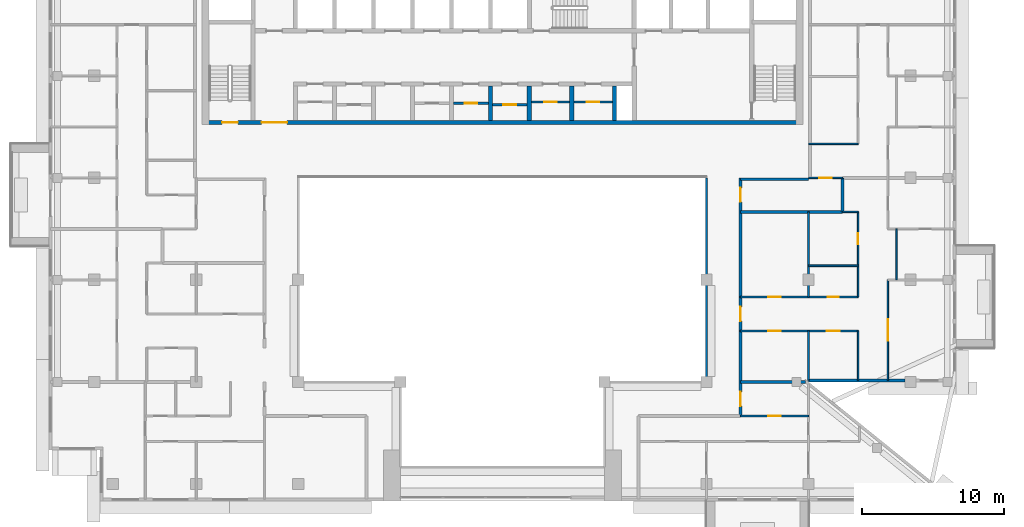
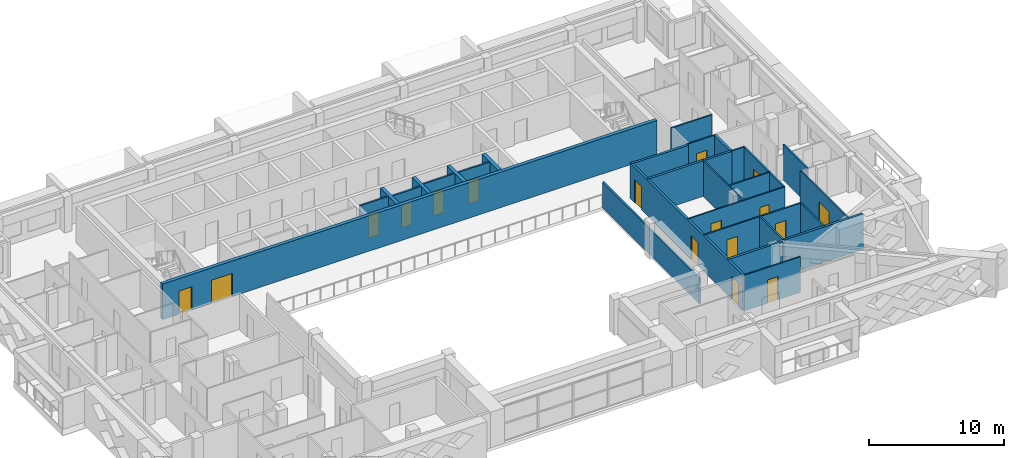
# One storey, part 9 of 19: 29 walls, 17 doors, 17 openings.
"""IFC4 building model written with IfcOpenShell, lengths in metres."""

from ifc_helpers import new_model, si_unit, direction, frame, frame_2d, origin, place, context, subcontext, project, spatial, rectangle, extrude, material, layer, layer_set, type_object, element, fill, save


model = new_model("IFC4")

# Units and contexts
model_context = context("Model", 3, precision=1e-05, world=origin(), true_north=direction((0.0, 1.0)))
body_context = subcontext(model_context, "Body", "Model", "MODEL_VIEW")
ifc_project = project(units=[si_unit("LENGTHUNIT", "METRE"), si_unit("AREAUNIT", "SQUARE_METRE"), si_unit("VOLUMEUNIT", "CUBIC_METRE"), si_unit("PLANEANGLEUNIT", "RADIAN"), si_unit("MASSUNIT", "GRAM", prefix="KILO")], contexts=[model_context])

# Site, building, storey
site_placement = place(None, origin())
site = spatial("IfcSite", under=ifc_project, at=site_placement, CompositionType="ELEMENT")
building_placement = place(site_placement, origin())
building = spatial("IfcBuilding", under=site, at=building_placement, Name="Saffron Iwan Residences", CompositionType="ELEMENT")
storey_placement = place(building_placement, frame((0.0, 0.0, 232.5)))
storey = spatial("IfcBuildingStorey", under=building, at=storey_placement, Name="L62", CompositionType="ELEMENT", Elevation=232.5)

# Wall
ifc_material_1 = material(Name="Fire-rated glazing", Category="glass")
ifc_layer_1 = layer(ifc_material_1, 0.14990234375)
ifc_layer_set_1 = layer_set([ifc_layer_1], Name="Fire-rated glazing")
wall_type_1 = type_object("IfcWallType", Name="Atrium glazed screen 150", PredefinedType="SOLIDWALL", material=ifc_layer_set_1)
wall_1_placement = place(storey_placement, frame((64.800048828125, 48.0, 0.0), z_axis=(0.0, 0.0, 1.0), x_axis=(0.0, 1.0, 0.0)))
element("IfcWall", 1, at=wall_1_placement, inside=storey, type_object=wall_type_1, Name="W-L62-SCREEN-v64.8-48", PredefinedType="SOLIDWALL", context=body_context, shape_type="SweptSolid", body=[
    extrude(rectangle(XDim=14.39990234375, YDim=0.14990234375, at=frame_2d((7.199951171875, 0.0))), origin(), (0.0, 0.0, 1.0), 2.320068359375),
])

# Wall, opening, door
ifc_material_2 = material(Name="Fire-rated plasterboard partition")
ifc_layer_2 = layer(ifc_material_2, 0.14990234375)
ifc_layer_set_2 = layer_set([ifc_layer_2], Name="Fire-rated plasterboard partition")
wall_type_2 = type_object("IfcWallType", Name="Core partition 150", PredefinedType="PARTITIONING", material=ifc_layer_set_2)
wall_2_placement = place(storey_placement, frame((46.949951171875, 67.66259765625, 0.0), z_axis=(0.0, 0.0, 1.0), x_axis=(1.0, 0.0, 0.0)))
wall_2 = element("IfcWall", 2, at=wall_2_placement, inside=storey, type_object=wall_type_2, Name="Core partition P04", PredefinedType="PARTITIONING", context=body_context, shape_type="SweptSolid", body=[
    extrude(rectangle(XDim=2.449951171875, YDim=0.14990234375, at=frame_2d((1.22509765625, 0.0))), origin(), (0.0, 0.0, 1.0), 3.219970703125),
])
opening_1_placement = place(wall_2_placement, frame((0.77490234375, 0.0, 0.0)))
opening_1 = element("IfcOpeningElement", 3, at=opening_1_placement, cuts=wall_2, Name="Opening SB", PredefinedType="OPENING", context=body_context, shape_type="SweptSolid", body=[
    extrude(rectangle(XDim=0.89990234375, YDim=2.10009765625, at=frame_2d((0.449951171875, 1.050048828125))), frame((0.0, 0.0849609375, 0.0), z_axis=(0.0, -1.0, 0.0), x_axis=(1.0, 0.0, 0.0)), (0.0, 0.0, 1.0), 0.169921875),
])
ifc_material_3 = material(Name="Steel fire door", Category="steel")
door_type_1 = type_object("IfcDoorType", Name="Store door 900", OperationType="NOTDEFINED", PredefinedType="DOOR", material=ifc_material_3)
door_1_placement = place(opening_1_placement, origin())
door_1 = element("IfcDoor", 4, at=door_1_placement, inside=storey, type_object=door_type_1, Name="Door Mop store", OperationType="SINGLE_SWING_RIGHT", OverallHeight=2.10009765625, OverallWidth=0.89990234375, PredefinedType="DOOR", context=body_context, shape_type="SweptSolid", body=[
    extrude(rectangle(XDim=0.89990234375, YDim=2.10009765625, at=frame_2d((0.449951171875, 1.050048828125))), frame((0.0, 0.02490234375, 0.0), z_axis=(0.0, -1.0, 0.0), x_axis=(1.0, 0.0, 0.0)), (0.0, 0.0, 1.0), 0.050048828125),
])
fill(opening_1, door_1)

wall_3_placement = place(storey_placement, frame((49.699951171875, 67.5654296875, 0.0), z_axis=(0.0, 0.0, 1.0), x_axis=(1.0, 0.0, 0.0)))
wall_3 = element("IfcWall", 5, at=wall_3_placement, inside=storey, type_object=wall_type_2, Name="Core partition P05", PredefinedType="PARTITIONING", context=body_context, shape_type="SweptSolid", body=[
    extrude(rectangle(XDim=2.449951171875, YDim=0.14990234375, at=frame_2d((1.22509765625, 0.0))), origin(), (0.0, 0.0, 1.0), 3.219970703125),
])
opening_2_placement = place(wall_3_placement, frame((0.77490234375, 0.0, 0.0)))
opening_2 = element("IfcOpeningElement", 6, at=opening_2_placement, cuts=wall_3, Name="Opening SB", PredefinedType="OPENING", context=body_context, shape_type="SweptSolid", body=[
    extrude(rectangle(XDim=0.89990234375, YDim=2.10009765625, at=frame_2d((0.449951171875, 1.050048828125))), frame((0.0, 0.0849609375, 0.0), z_axis=(0.0, -1.0, 0.0), x_axis=(1.0, 0.0, 0.0)), (0.0, 0.0, 1.0), 0.169921875),
])
door_2_placement = place(opening_2_placement, origin())
door_2 = element("IfcDoor", 7, at=door_2_placement, inside=storey, type_object=door_type_1, Name="Door Spares store", OperationType="SINGLE_SWING_LEFT", OverallHeight=2.10009765625, OverallWidth=0.89990234375, PredefinedType="DOOR", context=body_context, shape_type="SweptSolid", body=[
    extrude(rectangle(XDim=0.89990234375, YDim=2.10009765625, at=frame_2d((0.449951171875, 1.050048828125))), frame((0.0, 0.02490234375, 0.0), z_axis=(0.0, -1.0, 0.0), x_axis=(1.0, 0.0, 0.0)), (0.0, 0.0, 1.0), 0.050048828125),
])
fill(opening_2, door_2)

wall_4_placement = place(storey_placement, frame((52.449951171875, 67.759521484375, 0.0), z_axis=(0.0, 0.0, 1.0), x_axis=(1.0, 0.0, 0.0)))
wall_4 = element("IfcWall", 8, at=wall_4_placement, inside=storey, type_object=wall_type_2, Name="Core partition P06", PredefinedType="PARTITIONING", context=body_context, shape_type="SweptSolid", body=[
    extrude(rectangle(XDim=2.699951171875, YDim=0.14990234375, at=frame_2d((1.35009765625, 0.0))), origin(), (0.0, 0.0, 1.0), 3.219970703125),
])
opening_3_placement = place(wall_4_placement, frame((0.89990234375, 0.0, 0.0)))
opening_3 = element("IfcOpeningElement", 9, at=opening_3_placement, cuts=wall_4, Name="Opening SB", PredefinedType="OPENING", context=body_context, shape_type="SweptSolid", body=[
    extrude(rectangle(XDim=0.89990234375, YDim=2.10009765625, at=frame_2d((0.449951171875, 1.050048828125))), frame((0.0, 0.0849609375, 0.0), z_axis=(0.0, -1.0, 0.0), x_axis=(1.0, 0.0, 0.0)), (0.0, 0.0, 1.0), 0.169921875),
])
door_3_placement = place(opening_3_placement, origin())
door_3 = element("IfcDoor", 10, at=door_3_placement, inside=storey, type_object=door_type_1, Name="Door Tool store", OperationType="SINGLE_SWING_LEFT", OverallHeight=2.10009765625, OverallWidth=0.89990234375, PredefinedType="DOOR", context=body_context, shape_type="SweptSolid", body=[
    extrude(rectangle(XDim=0.89990234375, YDim=2.10009765625, at=frame_2d((0.449951171875, 1.050048828125))), frame((0.0, 0.02490234375, 0.0), z_axis=(0.0, -1.0, 0.0), x_axis=(1.0, 0.0, 0.0)), (0.0, 0.0, 1.0), 0.050048828125),
])
fill(opening_3, door_3)

wall_5_placement = place(storey_placement, frame((55.449951171875, 67.759521484375, 0.0), z_axis=(0.0, 0.0, 1.0), x_axis=(1.0, 0.0, 0.0)))
wall_5 = element("IfcWall", 11, at=wall_5_placement, inside=storey, type_object=wall_type_2, Name="Core partition P07", PredefinedType="PARTITIONING", context=body_context, shape_type="SweptSolid", body=[
    extrude(rectangle(XDim=2.699951171875, YDim=0.14990234375, at=frame_2d((1.35009765625, 0.0))), origin(), (0.0, 0.0, 1.0), 3.219970703125),
])
opening_4_placement = place(wall_5_placement, frame((0.89990234375, 0.0, 0.0)))
opening_4 = element("IfcOpeningElement", 12, at=opening_4_placement, cuts=wall_5, Name="Opening SB", PredefinedType="OPENING", context=body_context, shape_type="SweptSolid", body=[
    extrude(rectangle(XDim=0.89990234375, YDim=2.10009765625, at=frame_2d((0.449951171875, 1.050048828125))), frame((0.0, 0.0849609375, 0.0), z_axis=(0.0, -1.0, 0.0), x_axis=(1.0, 0.0, 0.0)), (0.0, 0.0, 1.0), 0.169921875),
])
door_4_placement = place(opening_4_placement, origin())
door_4 = element("IfcDoor", 13, at=door_4_placement, inside=storey, type_object=door_type_1, Name="Door Cabling room", OperationType="SINGLE_SWING_LEFT", OverallHeight=2.10009765625, OverallWidth=0.89990234375, PredefinedType="DOOR", context=body_context, shape_type="SweptSolid", body=[
    extrude(rectangle(XDim=0.89990234375, YDim=2.10009765625, at=frame_2d((0.449951171875, 1.050048828125))), frame((0.0, 0.02490234375, 0.0), z_axis=(0.0, -1.0, 0.0), x_axis=(1.0, 0.0, 0.0)), (0.0, 0.0, 1.0), 0.050048828125),
])
fill(opening_4, door_4)

# Walls
ifc_material_4 = material(Name="Concrete C40/50", Category="concrete")
ifc_layer_3 = layer(ifc_material_4, 0.199951171875)
ifc_layer_set_3 = layer_set([ifc_layer_3], Name="Concrete C40/50")
wall_type_3 = type_object("IfcWallType", Name="EXTERNAL WALL 200", PredefinedType="SOLIDWALL", material=ifc_layer_set_3)
wall_6_placement = place(storey_placement, frame((71.987060546875, 48.10009765625, 0.0), z_axis=(0.0, 0.0, 1.0), x_axis=(1.0, 0.0, 0.0)))
element("IfcWall", 14, at=wall_6_placement, inside=storey, type_object=wall_type_3, Name="External wall L62 F1.0", PredefinedType="SOLIDWALL", context=body_context, shape_type="SweptSolid", body=[
    extrude(rectangle(XDim=6.81298828125, YDim=0.199951171875, at=frame_2d((3.406494140625, 0.0))), origin(), (0.0, 0.0, 1.0), 3.219970703125),
])
ifc_material_5 = material(Name="Fire-rated gypsum board wall")
ifc_layer_4 = layer(ifc_material_5, 0.199951171875)
ifc_layer_set_4 = layer_set([ifc_layer_4], Name="Fire-rated gypsum board wall")
wall_type_4 = type_object("IfcWallType", Name="Flat demising wall 200", PredefinedType="SOLIDWALL", material=ifc_layer_set_4)
wall_7_placement = place(storey_placement, frame((67.199951171875, 48.0, 0.0), z_axis=(0.0, 0.0, 1.0), x_axis=(1.0, 0.0, 0.0)))
element("IfcWall", 15, at=wall_7_placement, inside=storey, type_object=wall_type_4, Name="W-L62-DEMISE-h48-67.2", PredefinedType="SOLIDWALL", context=body_context, shape_type="SweptSolid", body=[
    extrude(rectangle(XDim=4.60107421875, YDim=0.199951171875, at=frame_2d((2.300537109375, 0.0))), origin(), (0.0, 0.0, 1.0), 3.219970703125),
])
wall_8_placement = place(storey_placement, frame((67.199951171875, 60.0, 0.0), z_axis=(0.0, 0.0, 1.0), x_axis=(1.0, 0.0, 0.0)))
element("IfcWall", 16, at=wall_8_placement, inside=storey, type_object=wall_type_4, Name="W-L62-DEMISE-h60-67.2", PredefinedType="SOLIDWALL", context=body_context, shape_type="SweptSolid", body=[
    extrude(rectangle(XDim=7.199951171875, YDim=0.199951171875, at=frame_2d((3.60009765625, 0.0))), origin(), (0.0, 0.0, 1.0), 3.219970703125),
])
wall_9_placement = place(storey_placement, frame((74.39990234375, 60.0, 0.0), z_axis=(0.0, 0.0, 1.0), x_axis=(0.0, 1.0, 0.0)))
element("IfcWall", 17, at=wall_9_placement, inside=storey, type_object=wall_type_4, Name="W-L62-DEMISE-v74.4-60", PredefinedType="SOLIDWALL", context=body_context, shape_type="SweptSolid", body=[
    extrude(rectangle(XDim=2.39990234375, YDim=0.199951171875, at=frame_2d((1.199951171875, 0.0))), origin(), (0.0, 0.0, 1.0), 3.219970703125),
])

# Wall, opening, door
ifc_material_6 = material(Name="Gypsum board partition")
ifc_layer_5 = layer(ifc_material_6, 0.1201171875)
ifc_layer_set_5 = layer_set([ifc_layer_5], Name="Gypsum board partition")
wall_type_5 = type_object("IfcWallType", Name="Flat partition 120", PredefinedType="PARTITIONING", material=ifc_layer_set_5)
wall_10_placement = place(storey_placement, frame((67.199951171875, 45.60009765625, 0.0), z_axis=(0.0, 0.0, 1.0), x_axis=(1.0, 0.0, 0.0)))
wall_10 = element("IfcWall", 18, at=wall_10_placement, inside=storey, type_object=wall_type_5, Name="W-L62-PART-h45.6-67.2", PredefinedType="PARTITIONING", context=body_context, shape_type="SweptSolid", body=[
    extrude(rectangle(XDim=4.800048828125, YDim=0.1201171875, at=frame_2d((2.39990234375, 0.0))), origin(), (0.0, 0.0, 1.0), 3.219970703125),
])
opening_5_placement = place(wall_10_placement, frame((1.949951171875, 0.0, 0.0)))
opening_5 = element("IfcOpeningElement", 19, at=opening_5_placement, cuts=wall_10, Name="Opening FD2", PredefinedType="OPENING", context=body_context, shape_type="SweptSolid", body=[
    extrude(rectangle(XDim=0.89990234375, YDim=2.10009765625, at=frame_2d((0.449951171875, 1.050048828125))), frame((0.0, 0.070068359375, 0.0), z_axis=(0.0, -1.0, 0.0), x_axis=(1.0, 0.0, 0.0)), (0.0, 0.0, 1.0), 0.14013671875),
])
ifc_material_7 = material(Name="Timber door", Category="wood")
door_type_2 = type_object("IfcDoorType", Name="Flat door 900", OperationType="NOTDEFINED", PredefinedType="DOOR", material=ifc_material_7)
door_5_placement = place(opening_5_placement, origin())
door_5 = element("IfcDoor", 20, at=door_5_placement, inside=storey, type_object=door_type_2, Name="Door L62-042", OperationType="SINGLE_SWING_LEFT", OverallHeight=2.10009765625, OverallWidth=0.89990234375, PredefinedType="DOOR", context=body_context, shape_type="SweptSolid", body=[
    extrude(rectangle(XDim=0.89990234375, YDim=2.10009765625, at=frame_2d((0.449951171875, 1.050048828125))), frame((0.0, 0.02490234375, 0.0), z_axis=(0.0, -1.0, 0.0), x_axis=(1.0, 0.0, 0.0)), (0.0, 0.0, 1.0), 0.050048828125),
])
fill(opening_5, door_5)

# Wall, openings, doors
wall_11_placement = place(storey_placement, frame((67.199951171875, 51.60009765625, 0.0), z_axis=(0.0, 0.0, 1.0), x_axis=(1.0, 0.0, 0.0)))
wall_11 = element("IfcWall", 21, at=wall_11_placement, inside=storey, type_object=wall_type_5, Name="W-L62-PART-h51.6-67.2", PredefinedType="PARTITIONING", context=body_context, shape_type="SweptSolid", body=[
    extrude(rectangle(XDim=8.300048828125, YDim=0.1201171875, at=frame_2d((4.14990234375, 0.0))), origin(), (0.0, 0.0, 1.0), 3.219970703125),
])
opening_6_placement = place(wall_11_placement, frame((6.10009765625, 0.0, 0.0)))
opening_6 = element("IfcOpeningElement", 22, at=opening_6_placement, cuts=wall_11, Name="Opening FD2", PredefinedType="OPENING", context=body_context, shape_type="SweptSolid", body=[
    extrude(rectangle(XDim=0.89990234375, YDim=2.10009765625, at=frame_2d((0.449951171875, 1.050048828125))), frame((0.0, 0.070068359375, 0.0), z_axis=(0.0, -1.0, 0.0), x_axis=(1.0, 0.0, 0.0)), (0.0, 0.0, 1.0), 0.14013671875),
])
opening_7_placement = place(wall_11_placement, frame((1.949951171875, 0.0, 0.0)))
opening_7 = element("IfcOpeningElement", 23, at=opening_7_placement, cuts=wall_11, Name="Opening FD2", PredefinedType="OPENING", context=body_context, shape_type="SweptSolid", body=[
    extrude(rectangle(XDim=0.89990234375, YDim=2.10009765625, at=frame_2d((0.449951171875, 1.050048828125))), frame((0.0, 0.070068359375, 0.0), z_axis=(0.0, -1.0, 0.0), x_axis=(1.0, 0.0, 0.0)), (0.0, 0.0, 1.0), 0.14013671875),
])
door_6_placement = place(opening_6_placement, origin())
door_6 = element("IfcDoor", 24, at=door_6_placement, inside=storey, type_object=door_type_2, Name="Door L62-018", OperationType="SINGLE_SWING_LEFT", OverallHeight=2.10009765625, OverallWidth=0.89990234375, PredefinedType="DOOR", context=body_context, shape_type="SweptSolid", body=[
    extrude(rectangle(XDim=0.89990234375, YDim=2.10009765625, at=frame_2d((0.449951171875, 1.050048828125))), frame((0.0, 0.02490234375, 0.0), z_axis=(0.0, -1.0, 0.0), x_axis=(1.0, 0.0, 0.0)), (0.0, 0.0, 1.0), 0.050048828125),
])
fill(opening_6, door_6)
door_7_placement = place(opening_7_placement, origin())
door_7 = element("IfcDoor", 25, at=door_7_placement, inside=storey, type_object=door_type_2, Name="Door L62-021", OperationType="SINGLE_SWING_LEFT", OverallHeight=2.10009765625, OverallWidth=0.89990234375, PredefinedType="DOOR", context=body_context, shape_type="SweptSolid", body=[
    extrude(rectangle(XDim=0.89990234375, YDim=2.10009765625, at=frame_2d((0.449951171875, 1.050048828125))), frame((0.0, 0.02490234375, 0.0), z_axis=(0.0, -1.0, 0.0), x_axis=(1.0, 0.0, 0.0)), (0.0, 0.0, 1.0), 0.050048828125),
])
fill(opening_7, door_7)

wall_12_placement = place(storey_placement, frame((67.199951171875, 54.0, 0.0), z_axis=(0.0, 0.0, 1.0), x_axis=(1.0, 0.0, 0.0)))
wall_12 = element("IfcWall", 26, at=wall_12_placement, inside=storey, type_object=wall_type_5, Name="W-L62-PART-h54-67.2", PredefinedType="PARTITIONING", context=body_context, shape_type="SweptSolid", body=[
    extrude(rectangle(XDim=8.300048828125, YDim=0.1201171875, at=frame_2d((4.14990234375, 0.0))), origin(), (0.0, 0.0, 1.0), 3.219970703125),
])
opening_8_placement = place(wall_12_placement, frame((6.14990234375, 0.0, 0.0)))
opening_8 = element("IfcOpeningElement", 27, at=opening_8_placement, cuts=wall_12, Name="Opening FD3", PredefinedType="OPENING", context=body_context, shape_type="SweptSolid", body=[
    extrude(rectangle(XDim=0.800048828125, YDim=2.10009765625, at=frame_2d((0.39990234375, 1.050048828125))), frame((0.0, 0.070068359375, 0.0), z_axis=(0.0, -1.0, 0.0), x_axis=(1.0, 0.0, 0.0)), (0.0, 0.0, 1.0), 0.14013671875),
])
opening_9_placement = place(wall_12_placement, frame((1.949951171875, 0.0, 0.0)))
opening_9 = element("IfcOpeningElement", 28, at=opening_9_placement, cuts=wall_12, Name="Opening FD2", PredefinedType="OPENING", context=body_context, shape_type="SweptSolid", body=[
    extrude(rectangle(XDim=0.89990234375, YDim=2.10009765625, at=frame_2d((0.449951171875, 1.050048828125))), frame((0.0, 0.070068359375, 0.0), z_axis=(0.0, -1.0, 0.0), x_axis=(1.0, 0.0, 0.0)), (0.0, 0.0, 1.0), 0.14013671875),
])
door_type_3 = type_object("IfcDoorType", Name="Bathroom door 800", OperationType="NOTDEFINED", PredefinedType="DOOR", material=ifc_material_7)
door_8_placement = place(opening_8_placement, origin())
door_8 = element("IfcDoor", 29, at=door_8_placement, inside=storey, type_object=door_type_3, Name="Door L62-019", OperationType="SINGLE_SWING_LEFT", OverallHeight=2.10009765625, OverallWidth=0.800048828125, PredefinedType="DOOR", context=body_context, shape_type="SweptSolid", body=[
    extrude(rectangle(XDim=0.800048828125, YDim=2.10009765625, at=frame_2d((0.39990234375, 1.050048828125))), frame((0.0, 0.02490234375, 0.0), z_axis=(0.0, -1.0, 0.0), x_axis=(1.0, 0.0, 0.0)), (0.0, 0.0, 1.0), 0.050048828125),
])
fill(opening_8, door_8)
door_9_placement = place(opening_9_placement, origin())
door_9 = element("IfcDoor", 30, at=door_9_placement, inside=storey, type_object=door_type_2, Name="Door L62-022", OperationType="SINGLE_SWING_LEFT", OverallHeight=2.10009765625, OverallWidth=0.89990234375, PredefinedType="DOOR", context=body_context, shape_type="SweptSolid", body=[
    extrude(rectangle(XDim=0.89990234375, YDim=2.10009765625, at=frame_2d((0.449951171875, 1.050048828125))), frame((0.0, 0.02490234375, 0.0), z_axis=(0.0, -1.0, 0.0), x_axis=(1.0, 0.0, 0.0)), (0.0, 0.0, 1.0), 0.050048828125),
])
fill(opening_9, door_9)

# Walls
wall_13_placement = place(storey_placement, frame((72.0, 56.199951171875, 0.0), z_axis=(0.0, 0.0, 1.0), x_axis=(1.0, 0.0, 0.0)))
element("IfcWall", 31, at=wall_13_placement, inside=storey, type_object=wall_type_5, Name="W-L62-PART-h56.2-72", PredefinedType="PARTITIONING", context=body_context, shape_type="SweptSolid", body=[
    extrude(rectangle(XDim=3.5, YDim=0.1201171875, at=frame_2d((1.75, 0.0))), origin(), (0.0, 0.0, 1.0), 3.219970703125),
])
wall_14_placement = place(storey_placement, frame((74.39990234375, 60.0, 0.0), z_axis=(0.0, 0.0, 1.0), x_axis=(1.0, 0.0, 0.0)))
element("IfcWall", 32, at=wall_14_placement, inside=storey, type_object=wall_type_5, Name="W-L62-PART-h60-74.4", PredefinedType="PARTITIONING", context=body_context, shape_type="SweptSolid", body=[
    extrude(rectangle(XDim=1.10009765625, YDim=0.1201171875, at=frame_2d((0.550048828125, 0.0))), origin(), (0.0, 0.0, 1.0), 3.219970703125),
])

# Wall, opening, door
wall_15_placement = place(storey_placement, frame((72.0, 62.39990234375, 0.0), z_axis=(0.0, 0.0, 1.0), x_axis=(1.0, 0.0, 0.0)))
wall_15 = element("IfcWall", 33, at=wall_15_placement, inside=storey, type_object=wall_type_5, Name="W-L62-PART-h62.4-72", PredefinedType="PARTITIONING", context=body_context, shape_type="SweptSolid", body=[
    extrude(rectangle(XDim=2.39990234375, YDim=0.1201171875, at=frame_2d((1.199951171875, 0.0))), origin(), (0.0, 0.0, 1.0), 3.219970703125),
])
opening_10_placement = place(wall_15_placement, frame((0.75, 0.0, 0.0)))
opening_10 = element("IfcOpeningElement", 34, at=opening_10_placement, cuts=wall_15, Name="Opening FD2", PredefinedType="OPENING", context=body_context, shape_type="SweptSolid", body=[
    extrude(rectangle(XDim=0.89990234375, YDim=2.10009765625, at=frame_2d((0.449951171875, 1.050048828125))), frame((0.0, 0.070068359375, 0.0), z_axis=(0.0, -1.0, 0.0), x_axis=(1.0, 0.0, 0.0)), (0.0, 0.0, 1.0), 0.14013671875),
])
door_10_placement = place(opening_10_placement, origin())
door_10 = element("IfcDoor", 35, at=door_10_placement, inside=storey, type_object=door_type_2, Name="Door L62-033", OperationType="SINGLE_SWING_LEFT", OverallHeight=2.10009765625, OverallWidth=0.89990234375, PredefinedType="DOOR", context=body_context, shape_type="SweptSolid", body=[
    extrude(rectangle(XDim=0.89990234375, YDim=2.10009765625, at=frame_2d((0.449951171875, 1.050048828125))), frame((0.0, 0.02490234375, 0.0), z_axis=(0.0, -1.0, 0.0), x_axis=(1.0, 0.0, 0.0)), (0.0, 0.0, 1.0), 0.050048828125),
])
fill(opening_10, door_10)

# Walls
wall_16_placement = place(storey_placement, frame((72.0, 64.800048828125, 0.0), z_axis=(0.0, 0.0, 1.0), x_axis=(1.0, 0.0, 0.0)))
element("IfcWall", 36, at=wall_16_placement, inside=storey, type_object=wall_type_5, Name="W-L62-PART-h64.8-72", PredefinedType="PARTITIONING", context=body_context, shape_type="SweptSolid", body=[
    extrude(rectangle(XDim=3.5, YDim=0.1201171875, at=frame_2d((1.75, 0.0))), origin(), (0.0, 0.0, 1.0), 3.219970703125),
])
wall_17_placement = place(storey_placement, frame((72.0, 48.125, 0.0), z_axis=(0.0, 0.0, 1.0), x_axis=(0.0, 1.0, 0.0)))
element("IfcWall", 37, at=wall_17_placement, inside=storey, type_object=wall_type_5, Name="W-L62-PART-v72-48.125", PredefinedType="PARTITIONING", context=body_context, shape_type="SweptSolid", body=[
    extrude(rectangle(XDim=3.47509765625, YDim=0.1201171875, at=frame_2d((1.737548828125, 0.0))), origin(), (0.0, 0.0, 1.0), 3.219970703125),
])
wall_18_placement = place(storey_placement, frame((72.0, 54.0, 0.0), z_axis=(0.0, 0.0, 1.0), x_axis=(0.0, 1.0, 0.0)))
element("IfcWall", 38, at=wall_18_placement, inside=storey, type_object=wall_type_5, Name="W-L62-PART-v72-54", PredefinedType="PARTITIONING", context=body_context, shape_type="SweptSolid", body=[
    extrude(rectangle(XDim=6.0, YDim=0.1201171875, at=frame_2d((3.0, 0.0))), origin(), (0.0, 0.0, 1.0), 3.219970703125),
])
wall_19_placement = place(storey_placement, frame((75.5, 48.125, 0.0), z_axis=(0.0, 0.0, 1.0), x_axis=(0.0, 1.0, 0.0)))
element("IfcWall", 39, at=wall_19_placement, inside=storey, type_object=wall_type_5, Name="W-L62-PART-v75.5-48.125", PredefinedType="PARTITIONING", context=body_context, shape_type="SweptSolid", body=[
    extrude(rectangle(XDim=3.47509765625, YDim=0.1201171875, at=frame_2d((1.737548828125, 0.0))), origin(), (0.0, 0.0, 1.0), 3.219970703125),
])

# Wall, opening, door
wall_20_placement = place(storey_placement, frame((75.5, 54.0, 0.0), z_axis=(0.0, 0.0, 1.0), x_axis=(0.0, 1.0, 0.0)))
wall_20 = element("IfcWall", 40, at=wall_20_placement, inside=storey, type_object=wall_type_5, Name="W-L62-PART-v75.5-54", PredefinedType="PARTITIONING", context=body_context, shape_type="SweptSolid", body=[
    extrude(rectangle(XDim=6.0, YDim=0.1201171875, at=frame_2d((3.0, 0.0))), origin(), (0.0, 0.0, 1.0), 3.219970703125),
])
opening_11_placement = place(wall_20_placement, frame((3.699951171875, 0.0, 0.0)))
opening_11 = element("IfcOpeningElement", 41, at=opening_11_placement, cuts=wall_20, Name="Opening FD3", PredefinedType="OPENING", context=body_context, shape_type="SweptSolid", body=[
    extrude(rectangle(XDim=0.800048828125, YDim=2.10009765625, at=frame_2d((0.39990234375, 1.050048828125))), frame((0.0, 0.070068359375, 0.0), z_axis=(0.0, -1.0, 0.0), x_axis=(1.0, 0.0, 0.0)), (0.0, 0.0, 1.0), 0.14013671875),
])
door_11_placement = place(opening_11_placement, origin())
door_11 = element("IfcDoor", 42, at=door_11_placement, inside=storey, type_object=door_type_3, Name="Door L62-020", OperationType="SINGLE_SWING_RIGHT", OverallHeight=2.10009765625, OverallWidth=0.800048828125, PredefinedType="DOOR", context=body_context, shape_type="SweptSolid", body=[
    extrude(rectangle(XDim=0.800048828125, YDim=2.10009765625, at=frame_2d((0.39990234375, 1.050048828125))), frame((0.0, 0.02490234375, 0.0), z_axis=(0.0, -1.0, 0.0), x_axis=(1.0, 0.0, 0.0)), (0.0, 0.0, 1.0), 0.050048828125),
])
fill(opening_11, door_11)

wall_21_placement = place(storey_placement, frame((77.60009765625, 48.125, 0.0), z_axis=(0.0, 0.0, 1.0), x_axis=(0.0, 1.0, 0.0)))
wall_21 = element("IfcWall", 43, at=wall_21_placement, inside=storey, type_object=wall_type_5, Name="W-L62-PART-v77.6-48.125", PredefinedType="PARTITIONING", context=body_context, shape_type="SweptSolid", body=[
    extrude(rectangle(XDim=7.074951171875, YDim=0.1201171875, at=frame_2d((3.53759765625, 0.0))), origin(), (0.0, 0.0, 1.0), 3.219970703125),
])
opening_12_placement = place(wall_21_placement, frame((2.78759765625, 0.0, 0.0)))
opening_12 = element("IfcOpeningElement", 44, at=opening_12_placement, cuts=wall_21, Name="Opening FD4", PredefinedType="OPENING", context=body_context, shape_type="SweptSolid", body=[
    extrude(rectangle(XDim=1.5, YDim=2.10009765625, at=frame_2d((0.75, 1.050048828125))), frame((0.0, 0.070068359375, 0.0), z_axis=(0.0, -1.0, 0.0), x_axis=(1.0, 0.0, 0.0)), (0.0, 0.0, 1.0), 0.14013671875),
])
door_type_4 = type_object("IfcDoorType", Name="Double door 1500", OperationType="NOTDEFINED", PredefinedType="DOOR", material=ifc_material_7)
door_12_placement = place(opening_12_placement, origin())
door_12 = element("IfcDoor", 45, at=door_12_placement, inside=storey, type_object=door_type_4, Name="Door L62-015", OperationType="SINGLE_SWING_LEFT", OverallHeight=2.10009765625, OverallWidth=1.5, PredefinedType="DOOR", context=body_context, shape_type="SweptSolid", body=[
    extrude(rectangle(XDim=1.5, YDim=2.10009765625, at=frame_2d((0.75, 1.050048828125))), frame((0.0, 0.02490234375, 0.0), z_axis=(0.0, -1.0, 0.0), x_axis=(1.0, 0.0, 0.0)), (0.0, 0.0, 1.0), 0.050048828125),
])
fill(opening_12, door_12)

# Walls
wall_22_placement = place(storey_placement, frame((78.199951171875, 55.199951171875, 0.0), z_axis=(0.0, 0.0, 1.0), x_axis=(0.0, 1.0, 0.0)))
element("IfcWall", 46, at=wall_22_placement, inside=storey, type_object=wall_type_5, Name="W-L62-PART-v78.2-55.2", PredefinedType="PARTITIONING", context=body_context, shape_type="SweptSolid", body=[
    extrude(rectangle(XDim=3.60009765625, YDim=0.1201171875, at=frame_2d((1.800048828125, 0.0))), origin(), (0.0, 0.0, 1.0), 3.219970703125),
])
ifc_layer_6 = layer(ifc_material_5, 0.199951171875)
ifc_layer_set_6 = layer_set([ifc_layer_6], Name="Fire-rated gypsum board wall")
wall_type_6 = type_object("IfcWallType", Name="Gallery wall 200", PredefinedType="SOLIDWALL", material=ifc_layer_set_6)
wall_23_placement = place(storey_placement, frame((67.199951171875, 62.300048828125, 0.0), z_axis=(0.0, 0.0, 1.0), x_axis=(1.0, 0.0, 0.0)))
element("IfcWall", 47, at=wall_23_placement, inside=storey, type_object=wall_type_6, Name="W-L62-CORR-h62.4-67.2", PredefinedType="SOLIDWALL", context=body_context, shape_type="SweptSolid", body=[
    extrude(rectangle(XDim=4.800048828125, YDim=0.199951171875, at=frame_2d((2.39990234375, 0.0))), origin(), (0.0, 0.0, 1.0), 3.219970703125),
])

# Wall, openings, doors
wall_24_placement = place(storey_placement, frame((67.199951171875, 45.60009765625, 0.0), z_axis=(0.0, 0.0, 1.0), x_axis=(0.0, 1.0, 0.0)))
wall_24 = element("IfcWall", 48, at=wall_24_placement, inside=storey, type_object=wall_type_6, Name="W-L62-CORR-v67.2-45.6", PredefinedType="SOLIDWALL", context=body_context, shape_type="SweptSolid", body=[
    extrude(rectangle(XDim=16.7998046875, YDim=0.199951171875, at=frame_2d((8.39990234375, 0.0))), origin(), (0.0, 0.0, 1.0), 3.219970703125),
])
opening_13_placement = place(wall_24_placement, frame((6.699951171875, 0.0, 0.0)))
opening_13 = element("IfcOpeningElement", 49, at=opening_13_placement, cuts=wall_24, Name="Opening FD1", PredefinedType="OPENING", context=body_context, shape_type="SweptSolid", body=[
    extrude(rectangle(XDim=1.0, YDim=2.10009765625, at=frame_2d((0.5, 1.050048828125))), frame((0.0, 0.10986328125, 0.0), z_axis=(0.0, -1.0, 0.0), x_axis=(1.0, 0.0, 0.0)), (0.0, 0.0, 1.0), 0.219970703125),
])
opening_14_placement = place(wall_24_placement, frame((15.10009765625, 0.0, 0.0)))
opening_14 = element("IfcOpeningElement", 50, at=opening_14_placement, cuts=wall_24, Name="Opening FD5", PredefinedType="OPENING", context=body_context, shape_type="SweptSolid", body=[
    extrude(rectangle(XDim=1.0, YDim=2.10009765625, at=frame_2d((0.5, 1.050048828125))), frame((0.0, 0.10986328125, 0.0), z_axis=(0.0, -1.0, 0.0), x_axis=(1.0, 0.0, 0.0)), (0.0, 0.0, 1.0), 0.219970703125),
])
opening_15_placement = place(wall_24_placement, frame((0.699951171875, 0.0, 0.0)))
opening_15 = element("IfcOpeningElement", 51, at=opening_15_placement, cuts=wall_24, Name="Opening FD5", PredefinedType="OPENING", context=body_context, shape_type="SweptSolid", body=[
    extrude(rectangle(XDim=1.0, YDim=2.10009765625, at=frame_2d((0.5, 1.050048828125))), frame((0.0, 0.10986328125, 0.0), z_axis=(0.0, -1.0, 0.0), x_axis=(1.0, 0.0, 0.0)), (0.0, 0.0, 1.0), 0.219970703125),
])
ifc_material_8 = material(Name="Fire-rated timber door", Category="wood")
door_type_5 = type_object("IfcDoorType", Name="FD30S flat entrance door 1000", OperationType="NOTDEFINED", PredefinedType="DOOR", material=ifc_material_8)
door_13_placement = place(opening_13_placement, origin())
door_13 = element("IfcDoor", 52, at=door_13_placement, inside=storey, type_object=door_type_5, Name="Door L62-014", OperationType="SINGLE_SWING_RIGHT", OverallHeight=2.10009765625, OverallWidth=1.0, PredefinedType="DOOR", context=body_context, shape_type="SweptSolid", body=[
    extrude(rectangle(XDim=1.0, YDim=2.10009765625, at=frame_2d((0.5, 1.050048828125))), frame((0.0, 0.02490234375, 0.0), z_axis=(0.0, -1.0, 0.0), x_axis=(1.0, 0.0, 0.0)), (0.0, 0.0, 1.0), 0.050048828125),
])
fill(opening_13, door_13)
door_type_6 = type_object("IfcDoorType", Name="Lobby door 1000", OperationType="NOTDEFINED", PredefinedType="DOOR", material=ifc_material_8)
door_14_placement = place(opening_14_placement, origin())
door_14 = element("IfcDoor", 53, at=door_14_placement, inside=storey, type_object=door_type_6, Name="Door L62-034", OperationType="SINGLE_SWING_LEFT", OverallHeight=2.10009765625, OverallWidth=1.0, PredefinedType="DOOR", context=body_context, shape_type="SweptSolid", body=[
    extrude(rectangle(XDim=1.0, YDim=2.10009765625, at=frame_2d((0.5, 1.050048828125))), frame((0.0, 0.02490234375, 0.0), z_axis=(0.0, -1.0, 0.0), x_axis=(1.0, 0.0, 0.0)), (0.0, 0.0, 1.0), 0.050048828125),
])
fill(opening_14, door_14)
door_15_placement = place(opening_15_placement, origin())
door_15 = element("IfcDoor", 54, at=door_15_placement, inside=storey, type_object=door_type_6, Name="Door L62-043", OperationType="SINGLE_SWING_LEFT", OverallHeight=2.10009765625, OverallWidth=1.0, PredefinedType="DOOR", context=body_context, shape_type="SweptSolid", body=[
    extrude(rectangle(XDim=1.0, YDim=2.10009765625, at=frame_2d((0.5, 1.050048828125))), frame((0.0, 0.02490234375, 0.0), z_axis=(0.0, -1.0, 0.0), x_axis=(1.0, 0.0, 0.0)), (0.0, 0.0, 1.0), 0.050048828125),
])
fill(opening_15, door_15)

ifc_layer_7 = layer(ifc_material_4, 0.300048828125)
ifc_layer_set_7 = layer_set([ifc_layer_7], Name="Concrete C40/50")
wall_type_7 = type_object("IfcWallType", Name="WALL CORE 300 C40/50 3220 HIGH", PredefinedType="SHEAR", material=ifc_layer_set_7)
wall_25_placement = place(storey_placement, frame((29.199951171875, 66.300048828125, 0.0), z_axis=(0.0, 0.0, 1.0), x_axis=(1.0, 0.0, 0.0)))
wall_25 = element("IfcWall", 55, at=wall_25_placement, inside=storey, type_object=wall_type_7, Name="Core wall", PredefinedType="SHEAR", context=body_context, shape_type="SweptSolid", body=[
    extrude(rectangle(XDim=42.400146484375, YDim=0.300048828125, at=frame_2d((21.2001953125, 0.0))), origin(), (0.0, 0.0, 1.0), 3.219970703125),
])
opening_16_placement = place(wall_25_placement, frame((1.425048828125, 0.0, 0.0)))
opening_16 = element("IfcOpeningElement", 56, at=opening_16_placement, cuts=wall_25, Name="Opening SD", PredefinedType="OPENING", context=body_context, shape_type="SweptSolid", body=[
    extrude(rectangle(XDim=1.10009765625, YDim=2.10009765625, at=frame_2d((0.550048828125, 1.050048828125))), frame((0.0, 0.16015625, 0.0), z_axis=(0.0, -1.0, 0.0), x_axis=(1.0, 0.0, 0.0)), (0.0, 0.0, 1.0), 0.320068359375),
])
opening_17_placement = place(wall_25_placement, frame((4.199951171875, 0.0, 0.0)))
opening_17 = element("IfcOpeningElement", 57, at=opening_17_placement, cuts=wall_25, Name="Opening DD", PredefinedType="OPENING", context=body_context, shape_type="SweptSolid", body=[
    extrude(rectangle(XDim=1.800048828125, YDim=2.10009765625, at=frame_2d((0.89990234375, 1.050048828125))), frame((0.0, 0.16015625, 0.0), z_axis=(0.0, -1.0, 0.0), x_axis=(1.0, 0.0, 0.0)), (0.0, 0.0, 1.0), 0.320068359375),
])
door_type_7 = type_object("IfcDoorType", Name="Lobby double door 1800", OperationType="DOUBLE_DOOR_SINGLE_SWING", PredefinedType="DOOR", material=ifc_material_3)
door_16_placement = place(opening_17_placement, origin())
door_16 = element("IfcDoor", 58, at=door_16_placement, inside=storey, type_object=door_type_7, Name="Lobby doors", OperationType="DOUBLE_DOOR_SINGLE_SWING", OverallHeight=2.10009765625, OverallWidth=1.800048828125, PredefinedType="DOOR", context=body_context, shape_type="SweptSolid", body=[
    extrude(rectangle(XDim=1.800048828125, YDim=2.10009765625, at=frame_2d((0.89990234375, 1.050048828125))), frame((0.0, 0.02490234375, 0.0), z_axis=(0.0, -1.0, 0.0), x_axis=(1.0, 0.0, 0.0)), (0.0, 0.0, 1.0), 0.050048828125),
])
fill(opening_17, door_16)
door_type_8 = type_object("IfcDoorType", Name="Stair door 1100", OperationType="NOTDEFINED", PredefinedType="DOOR", material=ifc_material_3)
door_17_placement = place(opening_16_placement, origin())
door_17 = element("IfcDoor", 59, at=door_17_placement, inside=storey, type_object=door_type_8, Name="Stair door ST-W", OperationType="SINGLE_SWING_LEFT", OverallHeight=2.10009765625, OverallWidth=1.10009765625, PredefinedType="DOOR", context=body_context, shape_type="SweptSolid", body=[
    extrude(rectangle(XDim=1.10009765625, YDim=2.10009765625, at=frame_2d((0.550048828125, 1.050048828125))), frame((0.0, 0.02490234375, 0.0), z_axis=(0.0, -1.0, 0.0), x_axis=(1.0, 0.0, 0.0)), (0.0, 0.0, 1.0), 0.050048828125),
])
fill(opening_16, door_17)

# Walls
for number, where, z_axis, x_axis, name in (
    (60, (49.550048828125, 66.449951171875, 0.0), (0.0, 0.0, 1.0), (0.0, 1.0, 0.0), "Core wall"),
    (61, (52.300048828125, 66.449951171875, 0.0), (0.0, 0.0, 1.0), (0.0, 1.0, 0.0), "Core wall"),
    (62, (55.300048828125, 66.449951171875, 0.0), (0.0, 0.0, 1.0), (0.0, 1.0, 0.0), "Core wall"),
    (63, (58.300048828125, 66.449951171875, 0.0), (0.0, 0.0, 1.0), (0.0, 1.0, 0.0), "Core wall"),
):
    element("IfcWall", number, at=place(storey_placement, frame(where, z_axis=z_axis, x_axis=x_axis)), inside=storey, type_object=wall_type_7, Name=name, PredefinedType="SHEAR", context=body_context, shape_type="SweptSolid", body=[
        extrude(rectangle(XDim=2.425048828125, YDim=0.300048828125, at=frame_2d((1.21240234375, 0.0))), origin(), (0.0, 0.0, 1.0), 3.219970703125),
    ])

save(model, "model.ifc")
